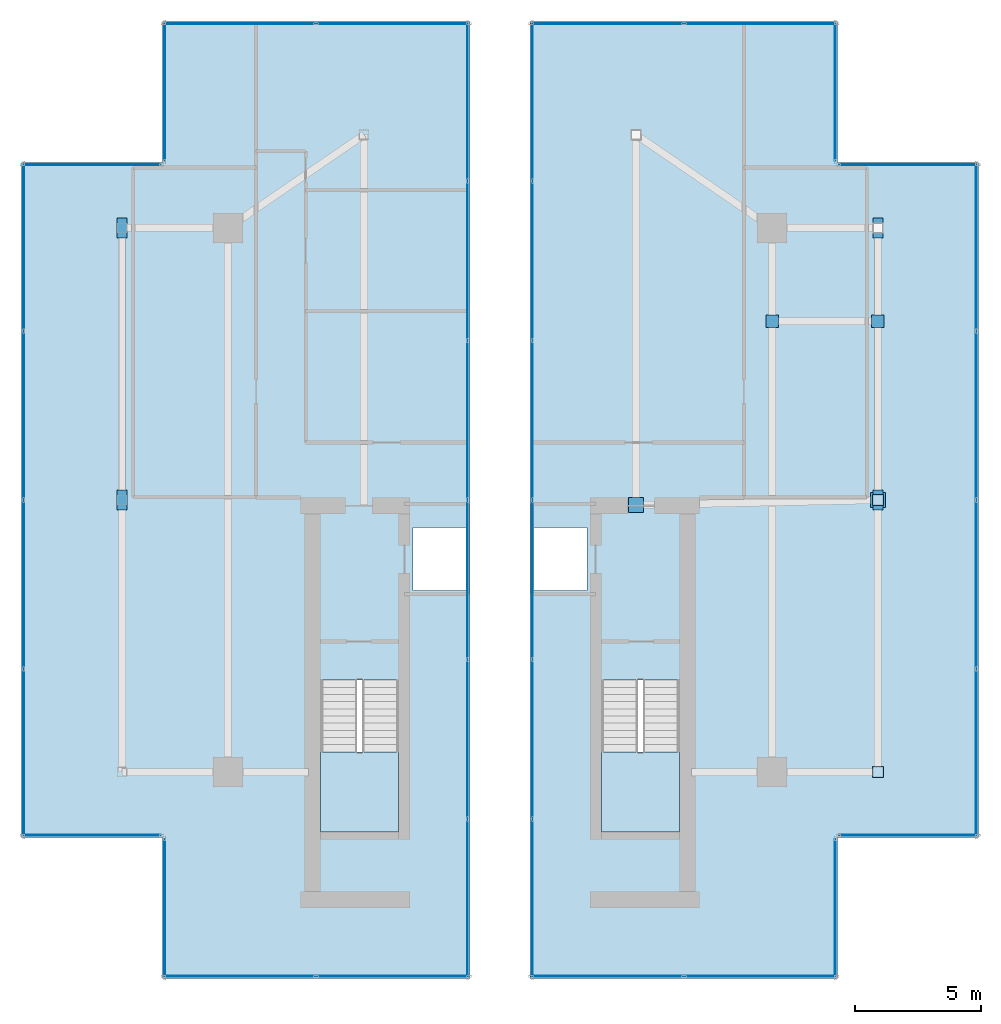
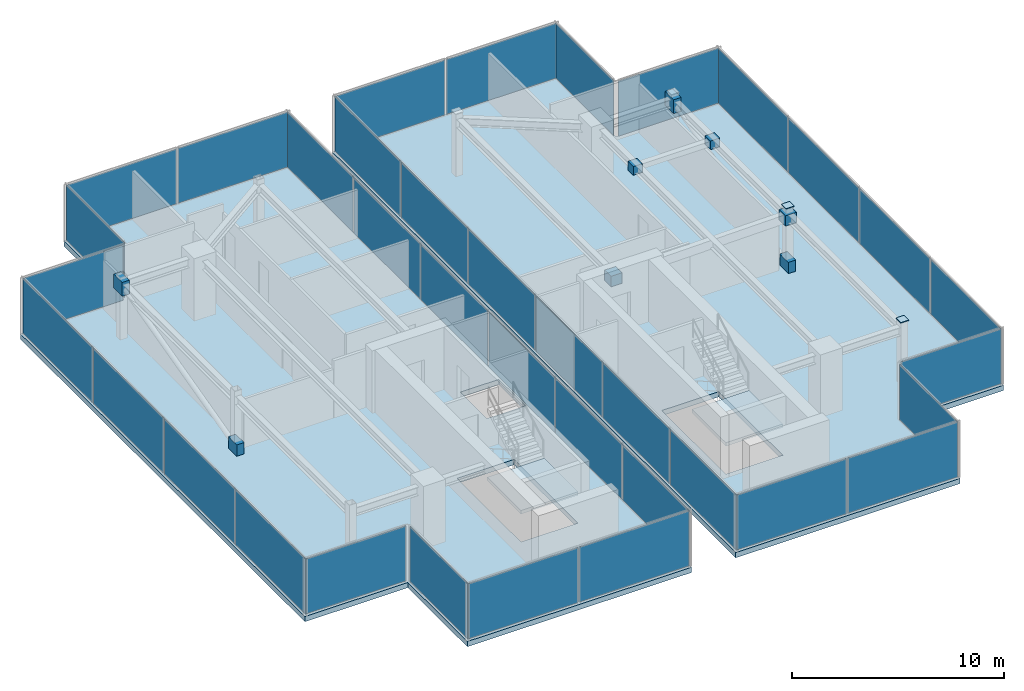
# One storey, part 22 of 25: 46 plates, 4 slabs, 18 elements without a shape of their own.
"""IFC4 building model written with IfcOpenShell, lengths in metres."""

from ifc_helpers import new_model, si_unit, direction, frame, origin, origin_2d, place, context, subcontext, project, spatial, polyline, rectangle, outline, extrude, source, transform, mapped, material, layer, layer_set, type_object, type_shapes, element, aggregate, save


model = new_model("IFC4")

# Units and contexts
model_context = context("Model", 3, precision=1e-05, world=origin(), true_north=direction((0.0, 1.0)))
body_context = subcontext(model_context, "Body", "Model", "MODEL_VIEW")
ifc_project = project(units=[si_unit("LENGTHUNIT", "METRE"), si_unit("AREAUNIT", "SQUARE_METRE"), si_unit("VOLUMEUNIT", "CUBIC_METRE"), si_unit("PLANEANGLEUNIT", "RADIAN"), si_unit("MASSUNIT", "GRAM", prefix="KILO")], contexts=[model_context])

# Site, building, storey
site_placement = place(None, origin())
site = spatial("IfcSite", under=ifc_project, at=site_placement, CompositionType="ELEMENT")
building_placement = place(site_placement, origin())
building = spatial("IfcBuilding", under=site, at=building_placement, Name="Krantzveldt Concourse Tower", CompositionType="ELEMENT")
storey_placement = place(building_placement, frame((0.0, 0.0, 374.64990234375)))
storey = spatial("IfcBuildingStorey", under=building, at=storey_placement, Name="L92", CompositionType="ELEMENT", Elevation=374.64990234375)

# Plates
ifc_material_1 = material(Name="Steel S355J2", Category="steel")
ifc_layer_1 = layer(ifc_material_1, 0.0400390625, Name="Steel S355J2", Category="steel")
ifc_layer_set_1 = layer_set([ifc_layer_1], Name="Steel S355J2 (PL-COLCAP-40)")
plate_type_1 = type_object("IfcPlateType", Name="PL-COLCAP-40", PredefinedType="USERDEFINED", material=ifc_layer_set_1)
plate_1_placement = place(storey_placement, frame((0.0, 0.0, 3.59521484375)))
element("IfcPlate", 1, at=plate_1_placement, inside=storey, type_object=plate_type_1, Name="L92 Column Top Cap Plate E1", ObjectType="END PLATE", PredefinedType="USERDEFINED", context=body_context, shape_type="SweptSolid", body=[
    extrude(outline(polyline([(50.780029296875, 15.679931640625), (51.219970703125, 15.679931640625), (51.219970703125, 16.1201171875), (50.780029296875, 16.1201171875), (50.780029296875, 15.679931640625)])), origin(), (0.0, 0.0, 1.0), 0.039794921875),
])
plate_2_placement = place(storey_placement, frame((0.0, 0.0, 3.59521484375)))
element("IfcPlate", 2, at=plate_2_placement, inside=storey, type_object=plate_type_1, Name="L92 Column Top Cap Plate E2", ObjectType="END PLATE", PredefinedType="USERDEFINED", context=body_context, shape_type="SweptSolid", body=[
    extrude(outline(polyline([(50.780029296875, 26.47998046875), (51.219970703125, 26.47998046875), (51.219970703125, 26.919921875), (50.780029296875, 26.919921875), (50.780029296875, 26.47998046875)])), origin(), (0.0, 0.0, 1.0), 0.039794921875),
])

# Stair, slab
ifc_material_2 = material(Name="Precast concrete C40/50", Category="concrete")
stair_type = type_object("IfcStairType", Name="STR-CORE-DOGLEG", PredefinedType="HALF_TURN_STAIR", material=ifc_material_2)
stair_1_placement = place(storey_placement, origin())
stair_1 = element("IfcStair", 3, at=stair_1_placement, inside=storey, type_object=stair_type, Name="L92 Protected Escape Stair ST-1", PredefinedType="HALF_TURN_STAIR")
ifc_layer_2 = layer(ifc_material_2, 0.199951171875, Name="Precast concrete C40/50", Category="concrete")
ifc_layer_set_2 = layer_set([ifc_layer_2], Name="Precast concrete C40/50 (SL-LANDING-200)")
slab_type_1 = type_object("IfcSlabType", Name="SL-LANDING-200", PredefinedType="LANDING", material=ifc_layer_set_2)
slab_1_placement = place(storey_placement, frame((0.0, 0.0, 1.60009765625)))
slab_1 = element("IfcSlab", 4, at=slab_1_placement, type_object=slab_type_1, Name="ST-1 landing 1", PredefinedType="LANDING", context=body_context, shape_type="SweptSolid", body=[
    extrude(outline(polyline([(28.8798828125, 16.699951171875), (28.8798828125, 13.52001953125), (31.97998046875, 13.52001953125), (31.97998046875, 16.699951171875), (28.8798828125, 16.699951171875)])), origin(), (0.0, 0.0, 1.0), 0.199951171875),
])
aggregate(stair_1, [slab_1])

stair_2_placement = place(storey_placement, origin())
stair_2 = element("IfcStair", 5, at=stair_2_placement, inside=storey, type_object=stair_type, Name="L92 Protected Escape Stair ST-2", PredefinedType="HALF_TURN_STAIR")
slab_2_placement = place(storey_placement, frame((0.0, 0.0, 1.60009765625)))
slab_2 = element("IfcSlab", 6, at=slab_2_placement, type_object=slab_type_1, Name="ST-2 landing 1", PredefinedType="LANDING", context=body_context, shape_type="SweptSolid", body=[
    extrude(outline(polyline([(40.02001953125, 16.699951171875), (40.02001953125, 13.52001953125), (43.1201171875, 13.52001953125), (43.1201171875, 16.699951171875), (40.02001953125, 16.699951171875)])), origin(), (0.0, 0.0, 1.0), 0.199951171875),
])
aggregate(stair_2, [slab_2])

# Slabs
ifc_material_3 = material(Name="Concrete C40/50", Category="concrete")
ifc_layer_3 = layer(ifc_material_3, 0.300048828125, Name="Concrete C40/50", Category="concrete")
ifc_layer_set_3 = layer_set([ifc_layer_3], Name="Concrete C40/50 (SL-SL-CRN300)")
slab_type_2 = type_object("IfcSlabType", Name="SL-SL-CRN300", PredefinedType="FLOOR", material=ifc_layer_set_3)
slab_3_placement = place(storey_placement, frame((0.0, 0.0, -0.2998046875)))
element("IfcSlab", 7, at=slab_3_placement, inside=storey, type_object=slab_type_2, Name="SL-L92-WEST", PredefinedType="FLOOR", context=body_context, shape_type="SweptSolid", body=[
    extrude(outline(polyline([(22.60009765625, 7.699951171875), (34.800048828125, 7.699951171875), (34.800048828125, 45.699951171875), (22.60009765625, 45.699951171875), (22.60009765625, 40.10009765625), (17.0, 40.10009765625), (17.0, 13.300048828125), (22.60009765625, 13.300048828125), (22.60009765625, 7.699951171875)]), holes=[polyline([(28.8798828125, 19.547607421875), (28.8798828125, 13.52001953125), (31.97998046875, 13.52001953125), (31.97998046875, 19.547607421875), (28.8798828125, 19.547607421875)]), polyline([(32.550048828125, 23.10009765625), (34.64990234375, 23.10009765625), (34.64990234375, 25.60009765625), (32.550048828125, 25.60009765625), (32.550048828125, 23.10009765625)])]), origin(), (0.0, 0.0, 1.0), 0.2998046875),
])
slab_4_placement = place(storey_placement, frame((0.0, 0.0, -0.2998046875)))
element("IfcSlab", 8, at=slab_4_placement, inside=storey, type_object=slab_type_2, Name="SL-L92-EAST", PredefinedType="FLOOR", context=body_context, shape_type="SweptSolid", body=[
    extrude(outline(polyline([(37.199951171875, 7.699951171875), (49.39990234375, 7.699951171875), (49.39990234375, 13.300048828125), (55.0, 13.300048828125), (55.0, 40.10009765625), (49.39990234375, 40.10009765625), (49.39990234375, 45.699951171875), (37.199951171875, 45.699951171875), (37.199951171875, 7.699951171875)]), holes=[polyline([(40.02001953125, 19.547607421875), (40.02001953125, 13.52001953125), (43.1201171875, 13.52001953125), (43.1201171875, 19.547607421875), (40.02001953125, 19.547607421875)]), polyline([(37.35009765625, 23.10009765625), (39.449951171875, 23.10009765625), (39.449951171875, 25.60009765625), (37.35009765625, 25.60009765625), (37.35009765625, 23.10009765625)])]), origin(), (0.0, 0.0, 1.0), 0.2998046875),
])

# Plates
ifc_layer_4 = layer(ifc_material_1, 0.0400390625, Name="Steel S355J2", Category="steel")
ifc_layer_set_4 = layer_set([ifc_layer_4], Name="Steel S355J2 (PL-GUSSET-40)")
plate_type_2 = type_object("IfcPlateType", Name="PL-GUSSET-40", PredefinedType="USERDEFINED", material=ifc_layer_set_4)
shared_shape_1 = source(origin(), body_context, "Body", "SweptSolid", [
    extrude(rectangle(XDim=0.39990234375, YDim=0.800048828125, at=origin_2d()), origin(), (0.0, 0.0, 1.0), 0.800048828125),
])
type_shapes(plate_type_2, [shared_shape_1])
for number, where, z_axis, x_axis, name in (
    (9, (21.0, 26.699951171875, -0.14990234375), (0.0, 0.0, 1.0), (1.0, 0.0, 0.0), "CBR-L92-WEST-GP1"),
    (10, (21.0, 37.5, 2.64990234375), (0.0, 0.0, 1.0), (1.0, 0.0, 0.0), "CBR-L92-WEST-GP2"),
    (11, (51.0, 26.699951171875, -0.14990234375), (0.0, 0.0, 1.0), (1.0, 0.0, 0.0), "CBR-L92-EAST-GP1"),
    (12, (51.0, 37.5, 2.64990234375), (0.0, 0.0, 1.0), (1.0, 0.0, 0.0), "CBR-L92-EAST-GP2"),
):
    element("IfcPlate", number, at=place(storey_placement, frame(where, z_axis=z_axis, x_axis=x_axis)), inside=storey, type_object=plate_type_2, Name=name, ObjectType="GUSSET PLATE", PredefinedType="USERDEFINED", context=body_context, shape_type="MappedRepresentation", body=[
        mapped(shared_shape_1, transform((0.0, 0.0, 0.0), x_axis=(1.0, 0.0, 0.0), y_axis=(0.0, 1.0, 0.0), z_axis=(0.0, 0.0, 1.0), scale=1.0)),
    ])
ifc_layer_5 = layer(ifc_material_1, 0.034912109375, Name="Steel S355J2", Category="steel")
ifc_layer_set_5 = layer_set([ifc_layer_5], Name="Steel S355J2 (PL-ENDCAP-35)")
plate_type_3 = type_object("IfcPlateType", Name="PL-ENDCAP-35", PredefinedType="SHEET", material=ifc_layer_set_5)
shared_shape_2 = source(origin(), body_context, "Body", "SweptSolid", [
    extrude(rectangle(XDim=0.60009765625, YDim=0.60009765625, at=origin_2d()), origin(), (0.0, 0.0, 1.0), 0.60009765625),
])
for number, where, z_axis, x_axis, name in (
    (13, (51.0, 26.699951171875, 2.699951171875), (0.0, 0.0, 1.0), (1.0, 0.0, 0.0), "CRF-L92-EAST-EC1"),
    (14, (41.39990234375, 26.5, 2.699951171875), (0.0, 0.0, 1.0), (1.0, 0.0, 0.0), "CRF-L92-EAST-EC2"),
):
    element("IfcPlate", number, at=place(storey_placement, frame(where, z_axis=z_axis, x_axis=x_axis)), inside=storey, type_object=plate_type_3, Name=name, PredefinedType="SHEET", context=body_context, shape_type="MappedRepresentation", body=[
        mapped(shared_shape_2, transform((0.0, 0.0, 0.0), x_axis=(1.0, 0.0, 0.0), y_axis=(0.0, 1.0, 0.0), z_axis=(0.0, 0.0, 1.0), scale=1.0)),
    ])
shared_shape_3 = source(origin(), body_context, "Body", "SweptSolid", [
    extrude(rectangle(XDim=0.5, YDim=0.5, at=origin_2d()), origin(), (0.0, 0.0, 1.0), 0.5),
])
type_shapes(plate_type_3, [shared_shape_2, shared_shape_3])
for number, where, z_axis, x_axis, name in (
    (15, (46.800048828125, 33.800048828125, 2.75), (0.0, 0.0, 1.0), (1.0, 0.0, 0.0), "CPR-L92-EAST-EC1"),
    (16, (51.0, 33.800048828125, 2.75), (0.0, 0.0, 1.0), (1.0, 0.0, 0.0), "CPR-L92-EAST-EC2"),
):
    element("IfcPlate", number, at=place(storey_placement, frame(where, z_axis=z_axis, x_axis=x_axis)), inside=storey, type_object=plate_type_3, Name=name, PredefinedType="SHEET", context=body_context, shape_type="MappedRepresentation", body=[
        mapped(shared_shape_3, transform((0.0, 0.0, 0.0), x_axis=(1.0, 0.0, 0.0), y_axis=(0.0, 1.0, 0.0), z_axis=(0.0, 0.0, 1.0), scale=1.0)),
    ])

# Curtain wall, plates
ifc_material_4 = material(Name="Anodised aluminium 6063-T6", Category="aluminium")
curtain_wall_type = type_object("IfcCurtainWallType", Name="CW7", PredefinedType="USERDEFINED", material=ifc_material_4)
curtain_wall_1_placement = place(storey_placement, origin())
curtain_wall_1 = element("IfcCurtainWall", 17, at=curtain_wall_1_placement, inside=storey, type_object=curtain_wall_type, Name="CW-L92-WEST-00", ObjectType="UNITISED CURTAIN WALL", PredefinedType="USERDEFINED")
ifc_material_5 = material(Name="Bronze-tinted laminated low-E IGU glass", Category="glass")
ifc_layer_6 = layer(ifc_material_5, 0.031982421875, Name="Bronze-tinted laminated low-E IGU glass", Category="glass")
ifc_layer_set_6 = layer_set([ifc_layer_6], Name="Bronze-tinted laminated low-E IGU glass (CW-GLZ-32)")
plate_type_4 = type_object("IfcPlateType", Name="CW-GLZ-32", PredefinedType="CURTAIN_PANEL", material=ifc_layer_set_6)
shared_shape_4 = source(origin(), body_context, "Body", "SweptSolid", [
    extrude(rectangle(XDim=5.9951171875, YDim=0.031982421875, at=origin_2d()), origin(), (0.0, 0.0, 1.0), 3.159912109375),
])
plate_3_placement = place(storey_placement, frame((25.66748046875, 7.7900390625, 0.0703125), z_axis=(0.0, 0.0, 1.0), x_axis=(1.0, 0.0, 0.0)))
plate_3 = element("IfcPlate", 18, at=plate_3_placement, type_object=plate_type_4, Name="CW-CRN panel 1.1", PredefinedType="CURTAIN_PANEL", context=body_context, shape_type="MappedRepresentation", body=[
    mapped(shared_shape_4, transform((0.0, 0.0, 0.0), x_axis=(1.0, 0.0, 0.0), y_axis=(0.0, 1.0, 0.0), z_axis=(0.0, 0.0, 1.0), scale=1.0)),
])
plate_4_placement = place(storey_placement, frame((31.732421875, 7.7900390625, 0.0703125), z_axis=(0.0, 0.0, 1.0), x_axis=(1.0, 0.0, 0.0)))
plate_4 = element("IfcPlate", 19, at=plate_4_placement, type_object=plate_type_4, Name="CW-CRN panel 2.1", PredefinedType="CURTAIN_PANEL", context=body_context, shape_type="MappedRepresentation", body=[
    mapped(shared_shape_4, transform((0.0, 0.0, 0.0), x_axis=(1.0, 0.0, 0.0), y_axis=(0.0, 1.0, 0.0), z_axis=(0.0, 0.0, 1.0), scale=1.0)),
])
aggregate(curtain_wall_1, [plate_3, plate_4])

curtain_wall_2_placement = place(storey_placement, origin())
curtain_wall_2 = element("IfcCurtainWall", 20, at=curtain_wall_2_placement, inside=storey, type_object=curtain_wall_type, Name="CW-L92-WEST-02", ObjectType="UNITISED CURTAIN WALL", PredefinedType="USERDEFINED")
plate_5_placement = place(storey_placement, frame((31.732421875, 45.610107421875, 0.0703125), z_axis=(0.0, 0.0, 1.0), x_axis=(-1.0, 0.0, 0.0)))
plate_5 = element("IfcPlate", 21, at=plate_5_placement, type_object=plate_type_4, Name="CW-CRN panel 1.1", PredefinedType="CURTAIN_PANEL", context=body_context, shape_type="MappedRepresentation", body=[
    mapped(shared_shape_4, transform((0.0, 0.0, 0.0), x_axis=(1.0, 0.0, 0.0), y_axis=(0.0, 1.0, 0.0), z_axis=(0.0, 0.0, 1.0), scale=1.0)),
])
plate_6_placement = place(storey_placement, frame((25.66748046875, 45.610107421875, 0.0703125), z_axis=(0.0, 0.0, 1.0), x_axis=(-1.0, 0.0, 0.0)))
plate_6 = element("IfcPlate", 22, at=plate_6_placement, type_object=plate_type_4, Name="CW-CRN panel 2.1", PredefinedType="CURTAIN_PANEL", context=body_context, shape_type="MappedRepresentation", body=[
    mapped(shared_shape_4, transform((0.0, 0.0, 0.0), x_axis=(1.0, 0.0, 0.0), y_axis=(0.0, 1.0, 0.0), z_axis=(0.0, 0.0, 1.0), scale=1.0)),
])
aggregate(curtain_wall_2, [plate_5, plate_6])

curtain_wall_3_placement = place(storey_placement, origin())
curtain_wall_3 = element("IfcCurtainWall", 23, at=curtain_wall_3_placement, inside=storey, type_object=curtain_wall_type, Name="CW-L92-EAST-00", ObjectType="UNITISED CURTAIN WALL", PredefinedType="USERDEFINED")
plate_7_placement = place(storey_placement, frame((40.267578125, 7.7900390625, 0.0703125), z_axis=(0.0, 0.0, 1.0), x_axis=(1.0, 0.0, 0.0)))
plate_7 = element("IfcPlate", 24, at=plate_7_placement, type_object=plate_type_4, Name="CW-CRN panel 1.1", PredefinedType="CURTAIN_PANEL", context=body_context, shape_type="MappedRepresentation", body=[
    mapped(shared_shape_4, transform((0.0, 0.0, 0.0), x_axis=(1.0, 0.0, 0.0), y_axis=(0.0, 1.0, 0.0), z_axis=(0.0, 0.0, 1.0), scale=1.0)),
])
plate_8_placement = place(storey_placement, frame((46.33251953125, 7.7900390625, 0.0703125), z_axis=(0.0, 0.0, 1.0), x_axis=(1.0, 0.0, 0.0)))
plate_8 = element("IfcPlate", 25, at=plate_8_placement, type_object=plate_type_4, Name="CW-CRN panel 2.1", PredefinedType="CURTAIN_PANEL", context=body_context, shape_type="MappedRepresentation", body=[
    mapped(shared_shape_4, transform((0.0, 0.0, 0.0), x_axis=(1.0, 0.0, 0.0), y_axis=(0.0, 1.0, 0.0), z_axis=(0.0, 0.0, 1.0), scale=1.0)),
])
aggregate(curtain_wall_3, [plate_7, plate_8])

curtain_wall_4_placement = place(storey_placement, origin())
curtain_wall_4 = element("IfcCurtainWall", 26, at=curtain_wall_4_placement, inside=storey, type_object=curtain_wall_type, Name="CW-L92-EAST-06", ObjectType="UNITISED CURTAIN WALL", PredefinedType="USERDEFINED")
plate_9_placement = place(storey_placement, frame((46.33251953125, 45.610107421875, 0.0703125), z_axis=(0.0, 0.0, 1.0), x_axis=(-1.0, 0.0, 0.0)))
plate_9 = element("IfcPlate", 27, at=plate_9_placement, type_object=plate_type_4, Name="CW-CRN panel 1.1", PredefinedType="CURTAIN_PANEL", context=body_context, shape_type="MappedRepresentation", body=[
    mapped(shared_shape_4, transform((0.0, 0.0, 0.0), x_axis=(1.0, 0.0, 0.0), y_axis=(0.0, 1.0, 0.0), z_axis=(0.0, 0.0, 1.0), scale=1.0)),
])
plate_10_placement = place(storey_placement, frame((40.267578125, 45.610107421875, 0.0703125), z_axis=(0.0, 0.0, 1.0), x_axis=(-1.0, 0.0, 0.0)))
plate_10 = element("IfcPlate", 28, at=plate_10_placement, type_object=plate_type_4, Name="CW-CRN panel 2.1", PredefinedType="CURTAIN_PANEL", context=body_context, shape_type="MappedRepresentation", body=[
    mapped(shared_shape_4, transform((0.0, 0.0, 0.0), x_axis=(1.0, 0.0, 0.0), y_axis=(0.0, 1.0, 0.0), z_axis=(0.0, 0.0, 1.0), scale=1.0)),
])
aggregate(curtain_wall_4, [plate_9, plate_10])

curtain_wall_5_placement = place(storey_placement, origin())
curtain_wall_5 = element("IfcCurtainWall", 29, at=curtain_wall_5_placement, inside=storey, type_object=curtain_wall_type, Name="CW-L92-WEST-01", ObjectType="UNITISED CURTAIN WALL", PredefinedType="USERDEFINED")
shared_shape_5 = source(origin(), body_context, "Body", "SweptSolid", [
    extrude(rectangle(XDim=6.228271484375, YDim=0.031982421875, at=origin_2d()), origin(), (0.0, 0.0, 1.0), 3.159912109375),
])
plate_11_placement = place(storey_placement, frame((34.7099609375, 10.88427734375, 0.0703125), z_axis=(0.0, 0.0, 1.0), x_axis=(0.0, 1.0, 0.0)))
plate_11 = element("IfcPlate", 30, at=plate_11_placement, type_object=plate_type_4, Name="CW-CRN panel 1.1", PredefinedType="CURTAIN_PANEL", context=body_context, shape_type="MappedRepresentation", body=[
    mapped(shared_shape_5, transform((0.0, 0.0, 0.0), x_axis=(1.0, 0.0, 0.0), y_axis=(0.0, 1.0, 0.0), z_axis=(0.0, 0.0, 1.0), scale=1.0)),
])
plate_12_placement = place(storey_placement, frame((34.7099609375, 42.515869140625, 0.0703125), z_axis=(0.0, 0.0, 1.0), x_axis=(0.0, 1.0, 0.0)))
plate_12 = element("IfcPlate", 31, at=plate_12_placement, type_object=plate_type_4, Name="CW-CRN panel 6.1", PredefinedType="CURTAIN_PANEL", context=body_context, shape_type="MappedRepresentation", body=[
    mapped(shared_shape_5, transform((0.0, 0.0, 0.0), x_axis=(1.0, 0.0, 0.0), y_axis=(0.0, 1.0, 0.0), z_axis=(0.0, 0.0, 1.0), scale=1.0)),
])

curtain_wall_6_placement = place(storey_placement, origin())
curtain_wall_6 = element("IfcCurtainWall", 32, at=curtain_wall_6_placement, inside=storey, type_object=curtain_wall_type, Name="CW-L92-EAST-07", ObjectType="UNITISED CURTAIN WALL", PredefinedType="USERDEFINED")
plate_13_placement = place(storey_placement, frame((37.2900390625, 42.515869140625, 0.0703125), z_axis=(0.0, 0.0, 1.0), x_axis=(0.0, -1.0, 0.0)))
plate_13 = element("IfcPlate", 33, at=plate_13_placement, type_object=plate_type_4, Name="CW-CRN panel 1.1", PredefinedType="CURTAIN_PANEL", context=body_context, shape_type="MappedRepresentation", body=[
    mapped(shared_shape_5, transform((0.0, 0.0, 0.0), x_axis=(1.0, 0.0, 0.0), y_axis=(0.0, 1.0, 0.0), z_axis=(0.0, 0.0, 1.0), scale=1.0)),
])
plate_14_placement = place(storey_placement, frame((37.2900390625, 10.88427734375, 0.0703125), z_axis=(0.0, 0.0, 1.0), x_axis=(0.0, -1.0, 0.0)))
plate_14 = element("IfcPlate", 34, at=plate_14_placement, type_object=plate_type_4, Name="CW-CRN panel 6.1", PredefinedType="CURTAIN_PANEL", context=body_context, shape_type="MappedRepresentation", body=[
    mapped(shared_shape_5, transform((0.0, 0.0, 0.0), x_axis=(1.0, 0.0, 0.0), y_axis=(0.0, 1.0, 0.0), z_axis=(0.0, 0.0, 1.0), scale=1.0)),
])

# Plate
shared_shape_6 = source(origin(), body_context, "Body", "SweptSolid", [
    extrude(rectangle(XDim=6.263427734375, YDim=0.031982421875, at=origin_2d()), origin(), (0.0, 0.0, 1.0), 3.159912109375),
])
plate_15_placement = place(storey_placement, frame((34.7099609375, 17.199951171875, 0.0703125), z_axis=(0.0, 0.0, 1.0), x_axis=(0.0, 1.0, 0.0)))
plate_15 = element("IfcPlate", 35, at=plate_15_placement, type_object=plate_type_4, Name="CW-CRN panel 2.1", PredefinedType="CURTAIN_PANEL", context=body_context, shape_type="MappedRepresentation", body=[
    mapped(shared_shape_6, transform((0.0, 0.0, 0.0), x_axis=(1.0, 0.0, 0.0), y_axis=(0.0, 1.0, 0.0), z_axis=(0.0, 0.0, 1.0), scale=1.0)),
])

plate_16_placement = place(storey_placement, frame((34.7099609375, 23.533447265625, 0.0703125), z_axis=(0.0, 0.0, 1.0), x_axis=(0.0, 1.0, 0.0)))
plate_16 = element("IfcPlate", 36, at=plate_16_placement, type_object=plate_type_4, Name="CW-CRN panel 3.1", PredefinedType="CURTAIN_PANEL", context=body_context, shape_type="MappedRepresentation", body=[
    mapped(shared_shape_6, transform((0.0, 0.0, 0.0), x_axis=(1.0, 0.0, 0.0), y_axis=(0.0, 1.0, 0.0), z_axis=(0.0, 0.0, 1.0), scale=1.0)),
])

plate_17_placement = place(storey_placement, frame((34.7099609375, 29.86669921875, 0.0703125), z_axis=(0.0, 0.0, 1.0), x_axis=(0.0, 1.0, 0.0)))
plate_17 = element("IfcPlate", 37, at=plate_17_placement, type_object=plate_type_4, Name="CW-CRN panel 4.1", PredefinedType="CURTAIN_PANEL", context=body_context, shape_type="MappedRepresentation", body=[
    mapped(shared_shape_6, transform((0.0, 0.0, 0.0), x_axis=(1.0, 0.0, 0.0), y_axis=(0.0, 1.0, 0.0), z_axis=(0.0, 0.0, 1.0), scale=1.0)),
])

plate_18_placement = place(storey_placement, frame((34.7099609375, 36.199951171875, 0.0703125), z_axis=(0.0, 0.0, 1.0), x_axis=(0.0, 1.0, 0.0)))
plate_18 = element("IfcPlate", 38, at=plate_18_placement, type_object=plate_type_4, Name="CW-CRN panel 5.1", PredefinedType="CURTAIN_PANEL", context=body_context, shape_type="MappedRepresentation", body=[
    mapped(shared_shape_6, transform((0.0, 0.0, 0.0), x_axis=(1.0, 0.0, 0.0), y_axis=(0.0, 1.0, 0.0), z_axis=(0.0, 0.0, 1.0), scale=1.0)),
])

aggregate(curtain_wall_5, [plate_11, plate_15, plate_16, plate_17, plate_18, plate_12])

plate_19_placement = place(storey_placement, frame((37.2900390625, 36.199951171875, 0.0703125), z_axis=(0.0, 0.0, 1.0), x_axis=(0.0, -1.0, 0.0)))
plate_19 = element("IfcPlate", 39, at=plate_19_placement, type_object=plate_type_4, Name="CW-CRN panel 2.1", PredefinedType="CURTAIN_PANEL", context=body_context, shape_type="MappedRepresentation", body=[
    mapped(shared_shape_6, transform((0.0, 0.0, 0.0), x_axis=(1.0, 0.0, 0.0), y_axis=(0.0, 1.0, 0.0), z_axis=(0.0, 0.0, 1.0), scale=1.0)),
])

plate_20_placement = place(storey_placement, frame((37.2900390625, 29.86669921875, 0.0703125), z_axis=(0.0, 0.0, 1.0), x_axis=(0.0, -1.0, 0.0)))
plate_20 = element("IfcPlate", 40, at=plate_20_placement, type_object=plate_type_4, Name="CW-CRN panel 3.1", PredefinedType="CURTAIN_PANEL", context=body_context, shape_type="MappedRepresentation", body=[
    mapped(shared_shape_6, transform((0.0, 0.0, 0.0), x_axis=(1.0, 0.0, 0.0), y_axis=(0.0, 1.0, 0.0), z_axis=(0.0, 0.0, 1.0), scale=1.0)),
])

plate_21_placement = place(storey_placement, frame((37.2900390625, 23.533447265625, 0.0703125), z_axis=(0.0, 0.0, 1.0), x_axis=(0.0, -1.0, 0.0)))
plate_21 = element("IfcPlate", 41, at=plate_21_placement, type_object=plate_type_4, Name="CW-CRN panel 4.1", PredefinedType="CURTAIN_PANEL", context=body_context, shape_type="MappedRepresentation", body=[
    mapped(shared_shape_6, transform((0.0, 0.0, 0.0), x_axis=(1.0, 0.0, 0.0), y_axis=(0.0, 1.0, 0.0), z_axis=(0.0, 0.0, 1.0), scale=1.0)),
])

plate_22_placement = place(storey_placement, frame((37.2900390625, 17.199951171875, 0.0703125), z_axis=(0.0, 0.0, 1.0), x_axis=(0.0, -1.0, 0.0)))
plate_22 = element("IfcPlate", 42, at=plate_22_placement, type_object=plate_type_4, Name="CW-CRN panel 5.1", PredefinedType="CURTAIN_PANEL", context=body_context, shape_type="MappedRepresentation", body=[
    mapped(shared_shape_6, transform((0.0, 0.0, 0.0), x_axis=(1.0, 0.0, 0.0), y_axis=(0.0, 1.0, 0.0), z_axis=(0.0, 0.0, 1.0), scale=1.0)),
])

aggregate(curtain_wall_6, [plate_13, plate_19, plate_20, plate_21, plate_22, plate_14])

# Curtain wall, plate
curtain_wall_7_placement = place(storey_placement, origin())
curtain_wall_7 = element("IfcCurtainWall", 43, at=curtain_wall_7_placement, inside=storey, type_object=curtain_wall_type, Name="CW-L92-WEST-03", ObjectType="UNITISED CURTAIN WALL", PredefinedType="USERDEFINED")
shared_shape_7 = source(origin(), body_context, "Body", "SweptSolid", [
    extrude(rectangle(XDim=5.4599609375, YDim=0.031982421875, at=origin_2d()), origin(), (0.0, 0.0, 1.0), 3.159912109375),
])
plate_23_placement = place(storey_placement, frame((22.68994140625, 42.89990234375, 0.0703125), z_axis=(0.0, 0.0, 1.0), x_axis=(0.0, -1.0, 0.0)))
plate_23 = element("IfcPlate", 44, at=plate_23_placement, type_object=plate_type_4, Name="CW-CRN panel 1.1", PredefinedType="CURTAIN_PANEL", context=body_context, shape_type="MappedRepresentation", body=[
    mapped(shared_shape_7, transform((0.0, 0.0, 0.0), x_axis=(1.0, 0.0, 0.0), y_axis=(0.0, 1.0, 0.0), z_axis=(0.0, 0.0, 1.0), scale=1.0)),
])
aggregate(curtain_wall_7, [plate_23])

curtain_wall_8_placement = place(storey_placement, origin())
curtain_wall_8 = element("IfcCurtainWall", 45, at=curtain_wall_8_placement, inside=storey, type_object=curtain_wall_type, Name="CW-L92-WEST-04", ObjectType="UNITISED CURTAIN WALL", PredefinedType="USERDEFINED")
plate_24_placement = place(storey_placement, frame((19.800048828125, 40.010009765625, 0.0703125), z_axis=(0.0, 0.0, 1.0), x_axis=(-1.0, 0.0, 0.0)))
plate_24 = element("IfcPlate", 46, at=plate_24_placement, type_object=plate_type_4, Name="CW-CRN panel 1.1", PredefinedType="CURTAIN_PANEL", context=body_context, shape_type="MappedRepresentation", body=[
    mapped(shared_shape_7, transform((0.0, 0.0, 0.0), x_axis=(1.0, 0.0, 0.0), y_axis=(0.0, 1.0, 0.0), z_axis=(0.0, 0.0, 1.0), scale=1.0)),
])
aggregate(curtain_wall_8, [plate_24])

curtain_wall_9_placement = place(storey_placement, origin())
curtain_wall_9 = element("IfcCurtainWall", 47, at=curtain_wall_9_placement, inside=storey, type_object=curtain_wall_type, Name="CW-L92-WEST-06", ObjectType="UNITISED CURTAIN WALL", PredefinedType="USERDEFINED")
plate_25_placement = place(storey_placement, frame((19.800048828125, 13.389892578125, 0.0703125), z_axis=(0.0, 0.0, 1.0), x_axis=(1.0, 0.0, 0.0)))
plate_25 = element("IfcPlate", 48, at=plate_25_placement, type_object=plate_type_4, Name="CW-CRN panel 1.1", PredefinedType="CURTAIN_PANEL", context=body_context, shape_type="MappedRepresentation", body=[
    mapped(shared_shape_7, transform((0.0, 0.0, 0.0), x_axis=(1.0, 0.0, 0.0), y_axis=(0.0, 1.0, 0.0), z_axis=(0.0, 0.0, 1.0), scale=1.0)),
])
aggregate(curtain_wall_9, [plate_25])

curtain_wall_10_placement = place(storey_placement, origin())
curtain_wall_10 = element("IfcCurtainWall", 49, at=curtain_wall_10_placement, inside=storey, type_object=curtain_wall_type, Name="CW-L92-WEST-07", ObjectType="UNITISED CURTAIN WALL", PredefinedType="USERDEFINED")
plate_26_placement = place(storey_placement, frame((22.68994140625, 10.5, 0.0703125), z_axis=(0.0, 0.0, 1.0), x_axis=(0.0, -1.0, 0.0)))
plate_26 = element("IfcPlate", 50, at=plate_26_placement, type_object=plate_type_4, Name="CW-CRN panel 1.1", PredefinedType="CURTAIN_PANEL", context=body_context, shape_type="MappedRepresentation", body=[
    mapped(shared_shape_7, transform((0.0, 0.0, 0.0), x_axis=(1.0, 0.0, 0.0), y_axis=(0.0, 1.0, 0.0), z_axis=(0.0, 0.0, 1.0), scale=1.0)),
])
aggregate(curtain_wall_10, [plate_26])

curtain_wall_11_placement = place(storey_placement, origin())
curtain_wall_11 = element("IfcCurtainWall", 51, at=curtain_wall_11_placement, inside=storey, type_object=curtain_wall_type, Name="CW-L92-EAST-01", ObjectType="UNITISED CURTAIN WALL", PredefinedType="USERDEFINED")
plate_27_placement = place(storey_placement, frame((49.31005859375, 10.5, 0.0703125), z_axis=(0.0, 0.0, 1.0), x_axis=(0.0, 1.0, 0.0)))
plate_27 = element("IfcPlate", 52, at=plate_27_placement, type_object=plate_type_4, Name="CW-CRN panel 1.1", PredefinedType="CURTAIN_PANEL", context=body_context, shape_type="MappedRepresentation", body=[
    mapped(shared_shape_7, transform((0.0, 0.0, 0.0), x_axis=(1.0, 0.0, 0.0), y_axis=(0.0, 1.0, 0.0), z_axis=(0.0, 0.0, 1.0), scale=1.0)),
])
aggregate(curtain_wall_11, [plate_27])

curtain_wall_12_placement = place(storey_placement, origin())
curtain_wall_12 = element("IfcCurtainWall", 53, at=curtain_wall_12_placement, inside=storey, type_object=curtain_wall_type, Name="CW-L92-EAST-02", ObjectType="UNITISED CURTAIN WALL", PredefinedType="USERDEFINED")
plate_28_placement = place(storey_placement, frame((52.199951171875, 13.389892578125, 0.0703125), z_axis=(0.0, 0.0, 1.0), x_axis=(1.0, 0.0, 0.0)))
plate_28 = element("IfcPlate", 54, at=plate_28_placement, type_object=plate_type_4, Name="CW-CRN panel 1.1", PredefinedType="CURTAIN_PANEL", context=body_context, shape_type="MappedRepresentation", body=[
    mapped(shared_shape_7, transform((0.0, 0.0, 0.0), x_axis=(1.0, 0.0, 0.0), y_axis=(0.0, 1.0, 0.0), z_axis=(0.0, 0.0, 1.0), scale=1.0)),
])
aggregate(curtain_wall_12, [plate_28])

curtain_wall_13_placement = place(storey_placement, origin())
curtain_wall_13 = element("IfcCurtainWall", 55, at=curtain_wall_13_placement, inside=storey, type_object=curtain_wall_type, Name="CW-L92-EAST-04", ObjectType="UNITISED CURTAIN WALL", PredefinedType="USERDEFINED")
plate_29_placement = place(storey_placement, frame((52.199951171875, 40.010009765625, 0.0703125), z_axis=(0.0, 0.0, 1.0), x_axis=(-1.0, 0.0, 0.0)))
plate_29 = element("IfcPlate", 56, at=plate_29_placement, type_object=plate_type_4, Name="CW-CRN panel 1.1", PredefinedType="CURTAIN_PANEL", context=body_context, shape_type="MappedRepresentation", body=[
    mapped(shared_shape_7, transform((0.0, 0.0, 0.0), x_axis=(1.0, 0.0, 0.0), y_axis=(0.0, 1.0, 0.0), z_axis=(0.0, 0.0, 1.0), scale=1.0)),
])
aggregate(curtain_wall_13, [plate_29])

curtain_wall_14_placement = place(storey_placement, origin())
curtain_wall_14 = element("IfcCurtainWall", 57, at=curtain_wall_14_placement, inside=storey, type_object=curtain_wall_type, Name="CW-L92-EAST-05", ObjectType="UNITISED CURTAIN WALL", PredefinedType="USERDEFINED")
plate_30_placement = place(storey_placement, frame((49.31005859375, 42.89990234375, 0.0703125), z_axis=(0.0, 0.0, 1.0), x_axis=(0.0, 1.0, 0.0)))
plate_30 = element("IfcPlate", 58, at=plate_30_placement, type_object=plate_type_4, Name="CW-CRN panel 1.1", PredefinedType="CURTAIN_PANEL", context=body_context, shape_type="MappedRepresentation", body=[
    mapped(shared_shape_7, transform((0.0, 0.0, 0.0), x_axis=(1.0, 0.0, 0.0), y_axis=(0.0, 1.0, 0.0), z_axis=(0.0, 0.0, 1.0), scale=1.0)),
])
aggregate(curtain_wall_14, [plate_30])

# Curtain wall, plates
curtain_wall_15_placement = place(storey_placement, origin())
curtain_wall_15 = element("IfcCurtainWall", 59, at=curtain_wall_15_placement, inside=storey, type_object=curtain_wall_type, Name="CW-L92-WEST-05", ObjectType="UNITISED CURTAIN WALL", PredefinedType="USERDEFINED")
shared_shape_8 = source(origin(), body_context, "Body", "SweptSolid", [
    extrude(rectangle(XDim=6.594970703125, YDim=0.031982421875, at=origin_2d()), origin(), (0.0, 0.0, 1.0), 3.159912109375),
])
plate_31_placement = place(storey_placement, frame((17.090087890625, 36.732421875, 0.0703125), z_axis=(0.0, 0.0, 1.0), x_axis=(0.0, -1.0, 0.0)))
plate_31 = element("IfcPlate", 60, at=plate_31_placement, type_object=plate_type_4, Name="CW-CRN panel 1.1", PredefinedType="CURTAIN_PANEL", context=body_context, shape_type="MappedRepresentation", body=[
    mapped(shared_shape_8, transform((0.0, 0.0, 0.0), x_axis=(1.0, 0.0, 0.0), y_axis=(0.0, 1.0, 0.0), z_axis=(0.0, 0.0, 1.0), scale=1.0)),
])
plate_32_placement = place(storey_placement, frame((17.090087890625, 16.66748046875, 0.0703125), z_axis=(0.0, 0.0, 1.0), x_axis=(0.0, -1.0, 0.0)))
plate_32 = element("IfcPlate", 61, at=plate_32_placement, type_object=plate_type_4, Name="CW-CRN panel 4.1", PredefinedType="CURTAIN_PANEL", context=body_context, shape_type="MappedRepresentation", body=[
    mapped(shared_shape_8, transform((0.0, 0.0, 0.0), x_axis=(1.0, 0.0, 0.0), y_axis=(0.0, 1.0, 0.0), z_axis=(0.0, 0.0, 1.0), scale=1.0)),
])

curtain_wall_16_placement = place(storey_placement, origin())
curtain_wall_16 = element("IfcCurtainWall", 62, at=curtain_wall_16_placement, inside=storey, type_object=curtain_wall_type, Name="CW-L92-EAST-03", ObjectType="UNITISED CURTAIN WALL", PredefinedType="USERDEFINED")
plate_33_placement = place(storey_placement, frame((54.909912109375, 16.66748046875, 0.0703125), z_axis=(0.0, 0.0, 1.0), x_axis=(0.0, 1.0, 0.0)))
plate_33 = element("IfcPlate", 63, at=plate_33_placement, type_object=plate_type_4, Name="CW-CRN panel 1.1", PredefinedType="CURTAIN_PANEL", context=body_context, shape_type="MappedRepresentation", body=[
    mapped(shared_shape_8, transform((0.0, 0.0, 0.0), x_axis=(1.0, 0.0, 0.0), y_axis=(0.0, 1.0, 0.0), z_axis=(0.0, 0.0, 1.0), scale=1.0)),
])
plate_34_placement = place(storey_placement, frame((54.909912109375, 36.732421875, 0.0703125), z_axis=(0.0, 0.0, 1.0), x_axis=(0.0, 1.0, 0.0)))
plate_34 = element("IfcPlate", 64, at=plate_34_placement, type_object=plate_type_4, Name="CW-CRN panel 4.1", PredefinedType="CURTAIN_PANEL", context=body_context, shape_type="MappedRepresentation", body=[
    mapped(shared_shape_8, transform((0.0, 0.0, 0.0), x_axis=(1.0, 0.0, 0.0), y_axis=(0.0, 1.0, 0.0), z_axis=(0.0, 0.0, 1.0), scale=1.0)),
])

# Plate
shared_shape_9 = source(origin(), body_context, "Body", "SweptSolid", [
    extrude(rectangle(XDim=6.6298828125, YDim=0.031982421875, at=origin_2d()), origin(), (0.0, 0.0, 1.0), 3.159912109375),
])
type_shapes(plate_type_4, [shared_shape_4, shared_shape_5, shared_shape_6, shared_shape_7, shared_shape_8, shared_shape_9])
plate_35_placement = place(storey_placement, frame((17.090087890625, 30.050048828125, 0.0703125), z_axis=(0.0, 0.0, 1.0), x_axis=(0.0, -1.0, 0.0)))
plate_35 = element("IfcPlate", 65, at=plate_35_placement, type_object=plate_type_4, Name="CW-CRN panel 2.1", PredefinedType="CURTAIN_PANEL", context=body_context, shape_type="MappedRepresentation", body=[
    mapped(shared_shape_9, transform((0.0, 0.0, 0.0), x_axis=(1.0, 0.0, 0.0), y_axis=(0.0, 1.0, 0.0), z_axis=(0.0, 0.0, 1.0), scale=1.0)),
])

plate_36_placement = place(storey_placement, frame((17.090087890625, 23.35009765625, 0.0703125), z_axis=(0.0, 0.0, 1.0), x_axis=(0.0, -1.0, 0.0)))
plate_36 = element("IfcPlate", 66, at=plate_36_placement, type_object=plate_type_4, Name="CW-CRN panel 3.1", PredefinedType="CURTAIN_PANEL", context=body_context, shape_type="MappedRepresentation", body=[
    mapped(shared_shape_9, transform((0.0, 0.0, 0.0), x_axis=(1.0, 0.0, 0.0), y_axis=(0.0, 1.0, 0.0), z_axis=(0.0, 0.0, 1.0), scale=1.0)),
])

aggregate(curtain_wall_15, [plate_31, plate_35, plate_36, plate_32])

plate_37_placement = place(storey_placement, frame((54.909912109375, 23.35009765625, 0.0703125), z_axis=(0.0, 0.0, 1.0), x_axis=(0.0, 1.0, 0.0)))
plate_37 = element("IfcPlate", 67, at=plate_37_placement, type_object=plate_type_4, Name="CW-CRN panel 2.1", PredefinedType="CURTAIN_PANEL", context=body_context, shape_type="MappedRepresentation", body=[
    mapped(shared_shape_9, transform((0.0, 0.0, 0.0), x_axis=(1.0, 0.0, 0.0), y_axis=(0.0, 1.0, 0.0), z_axis=(0.0, 0.0, 1.0), scale=1.0)),
])

plate_38_placement = place(storey_placement, frame((54.909912109375, 30.050048828125, 0.0703125), z_axis=(0.0, 0.0, 1.0), x_axis=(0.0, 1.0, 0.0)))
plate_38 = element("IfcPlate", 68, at=plate_38_placement, type_object=plate_type_4, Name="CW-CRN panel 3.1", PredefinedType="CURTAIN_PANEL", context=body_context, shape_type="MappedRepresentation", body=[
    mapped(shared_shape_9, transform((0.0, 0.0, 0.0), x_axis=(1.0, 0.0, 0.0), y_axis=(0.0, 1.0, 0.0), z_axis=(0.0, 0.0, 1.0), scale=1.0)),
])

aggregate(curtain_wall_16, [plate_33, plate_37, plate_38, plate_34])

save(model, "model.ifc")
